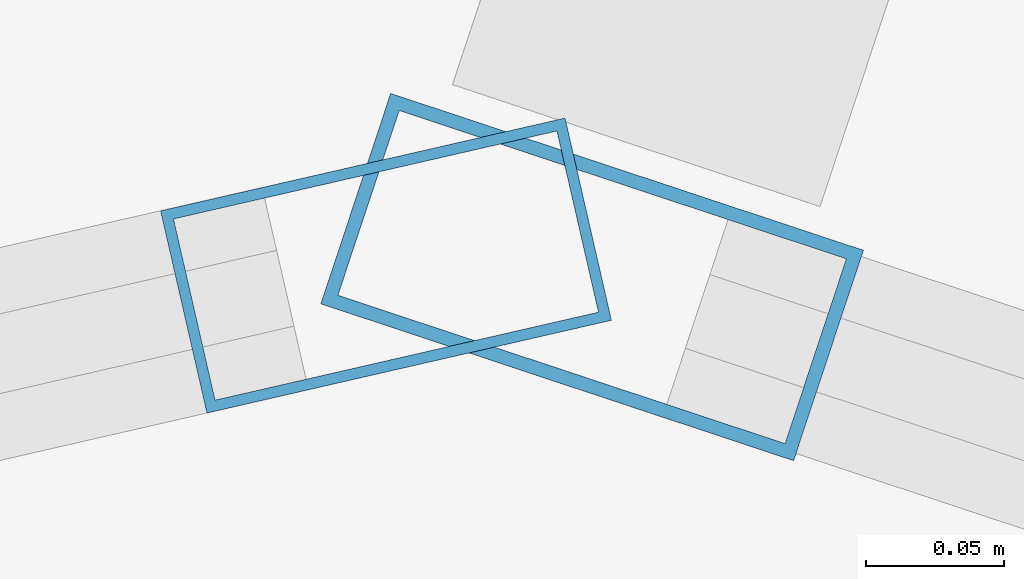
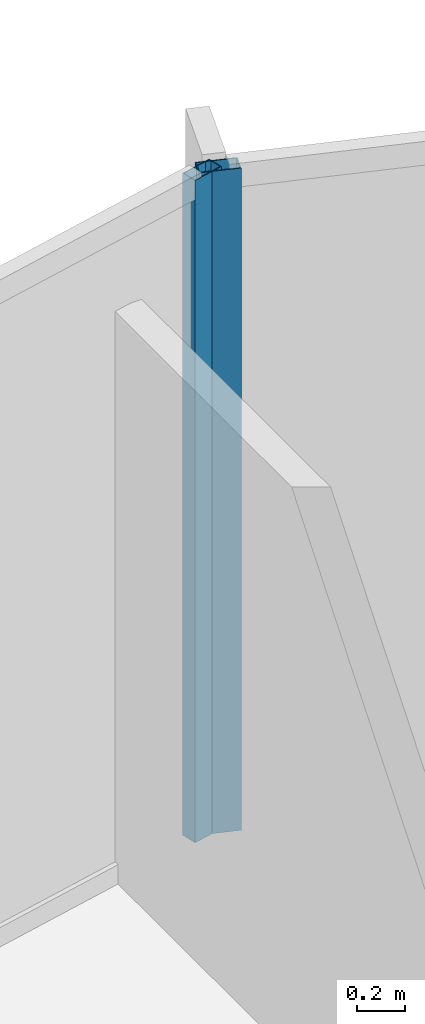
# One storey, part 22 of 34: 2 members, 2 elements without a shape of their own.
"""IFC4 building model written with IfcOpenShell, lengths in metres."""

from ifc_helpers import new_model, si_unit, direction, frame, origin, origin_2d, place, context, subcontext, project, spatial, hollow_rectangle, extrude, material, layer, layer_set, material_profile, profile_set, type_object, element, aggregate, save


model = new_model("IFC4")

# Units and contexts
model_context = context("Model", 3, precision=1e-05, world=origin(), true_north=direction((0.0, 1.0)))
body_context = subcontext(model_context, "Body", "Model", "MODEL_VIEW")
ifc_project = project(units=[si_unit("LENGTHUNIT", "METRE"), si_unit("AREAUNIT", "SQUARE_METRE"), si_unit("VOLUMEUNIT", "CUBIC_METRE"), si_unit("PLANEANGLEUNIT", "RADIAN"), si_unit("MASSUNIT", "GRAM", prefix="KILO")], contexts=[model_context])

# Site, building, storey
site_placement = place(None, origin())
site = spatial("IfcSite", under=ifc_project, at=site_placement, CompositionType="ELEMENT")
building_placement = place(site_placement, origin())
building = spatial("IfcBuilding", under=site, at=building_placement, Name="Kazevale Care Tower and Concert Hall", CompositionType="ELEMENT")
storey_placement = place(building_placement, frame((0.0, 0.0, 156.60009765625)))
storey = spatial("IfcBuildingStorey", under=building, at=storey_placement, Name="L41", CompositionType="ELEMENT", Elevation=156.60009765625)

# Curtain wall, member
ifc_material_1 = material(Name="Aluminium 6063-T6 and Low-E Glass", Category="aluminium")
ifc_layer_1 = layer(ifc_material_1, 0.179931640625)
ifc_layer_set_1 = layer_set([ifc_layer_1], Name="Aluminium 6063-T6 and Low-E Glass")
curtain_wall_type_1 = type_object("IfcCurtainWallType", Name="Convex Checkerboard Finned Curtain Wall CW-2", PredefinedType="NOTDEFINED", material=ifc_layer_set_1)
curtain_wall_1_placement = place(storey_placement, origin())
curtain_wall_1 = element("IfcCurtainWall", 1, at=curtain_wall_1_placement, inside=storey, type_object=curtain_wall_type_1, Name="cw:L41:f16", PredefinedType="NOTDEFINED")
ifc_material_2 = material(Name="Aluminium 6063-T6", Category="aluminium")
ifc_material_profile_1 = material_profile(ifc_material_2, hollow_rectangle(XDim=0.080078125, YDim=0.179931640625, WallThickness=0.0048828125, at=origin_2d()), Name="ALU80x180x5")
ifc_profile_set_1 = profile_set([ifc_material_profile_1], Name="Aluminium 6063-T6")
member_type_1 = type_object("IfcMemberType", Name="CW-2 Mullion ALU80x180x5", PredefinedType="MULLION", material=ifc_profile_set_1)
member_1_placement = place(storey_placement, frame((44.995849609375, 66.75537109375, 0.0), z_axis=(0.0, 0.0, 1.0), x_axis=(0.314868185785, 0.949135409507, 0.0)))
member_1 = element("IfcMember", 2, at=member_1_placement, type_object=member_type_1, Name="CW-2 mullion 1", PredefinedType="MULLION", context=body_context, shape_type="SweptSolid", body=[
    extrude(hollow_rectangle(XDim=0.080078125, YDim=0.179931640625, WallThickness=0.0048828125, at=origin_2d()), origin(), (0.0, 0.0, 1.0), 3.35986328125),
])
aggregate(curtain_wall_1, [member_1])

ifc_layer_2 = layer(ifc_material_1, 0.179931640625)
ifc_layer_set_2 = layer_set([ifc_layer_2], Name="Aluminium 6063-T6 and Low-E Glass")
curtain_wall_type_2 = type_object("IfcCurtainWallType", Name="Convex Recessed Sunroom Curtain Wall CW-3", PredefinedType="NOTDEFINED", material=ifc_layer_set_2)
curtain_wall_2_placement = place(storey_placement, origin())
curtain_wall_2 = element("IfcCurtainWall", 3, at=curtain_wall_2_placement, inside=storey, type_object=curtain_wall_type_2, Name="cw:L41:f15", PredefinedType="NOTDEFINED")
ifc_material_profile_2 = material_profile(ifc_material_2, hollow_rectangle(XDim=0.074951171875, YDim=0.14990234375, WallThickness=0.00390625, at=origin_2d()), Name="ALU75x150x4")
ifc_profile_set_2 = profile_set([ifc_material_profile_2], Name="Aluminium 6063-T6")
member_type_2 = type_object("IfcMemberType", Name="CW-3 Mullion ALU75x150x4", PredefinedType="MULLION", material=ifc_profile_set_2)
member_2_placement = place(storey_placement, frame((44.92138671875, 66.759521484375, 0.0), z_axis=(0.0, 0.0, 1.0), x_axis=(-0.223567329284, 0.974688488327, 0.0)))
member_2 = element("IfcMember", 4, at=member_2_placement, type_object=member_type_2, Name="CW-3 mullion 2", PredefinedType="MULLION", context=body_context, shape_type="SweptSolid", body=[
    extrude(hollow_rectangle(XDim=0.074951171875, YDim=0.14990234375, WallThickness=0.00390625, at=origin_2d()), origin(), (0.0, 0.0, 1.0), 3.35986328125),
])
aggregate(curtain_wall_2, [member_2])

save(model, "model.ifc")
